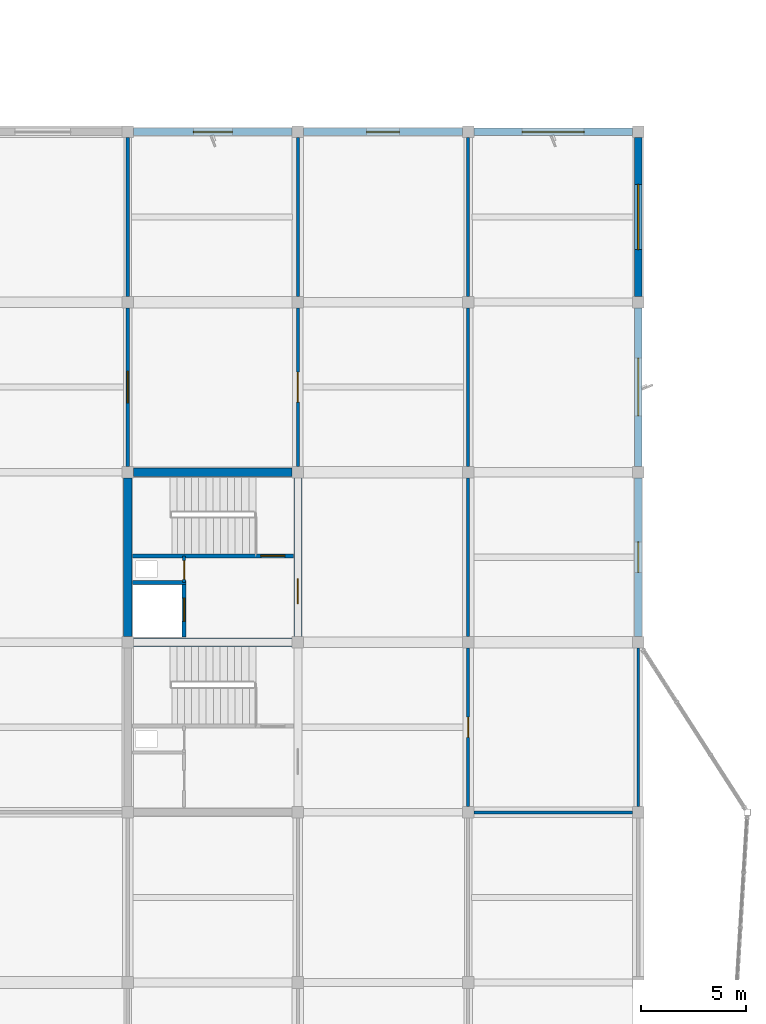
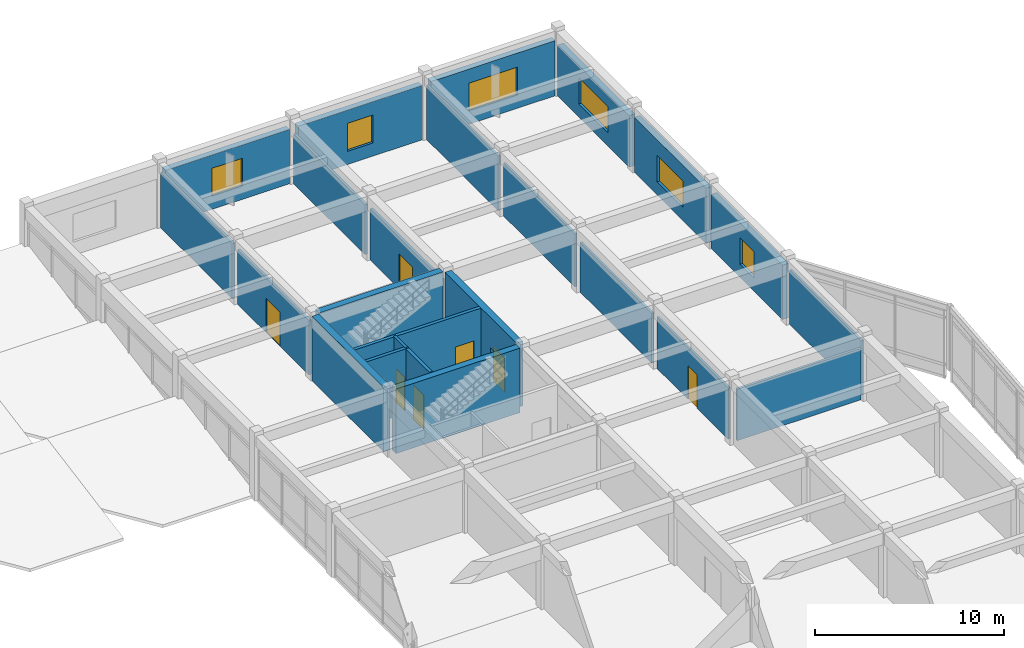
# One storey, part 29 of 33: 24 walls, 7 doors, 6 windows, 13 openings.
"""IFC4 building model written with IfcOpenShell, lengths in metres."""

from ifc_helpers import new_model, si_unit, direction, frame, frame_2d, origin, place, context, subcontext, project, spatial, rectangle, extrude, material, layer, layer_set, type_object, element, fill, save


model = new_model("IFC4")

# Units and contexts
model_context = context("Model", 3, precision=1e-05, world=origin(), true_north=direction((0.0, 1.0)))
body_context = subcontext(model_context, "Body", "Model", "MODEL_VIEW")
ifc_project = project(units=[si_unit("LENGTHUNIT", "METRE"), si_unit("AREAUNIT", "SQUARE_METRE"), si_unit("VOLUMEUNIT", "CUBIC_METRE"), si_unit("PLANEANGLEUNIT", "RADIAN"), si_unit("MASSUNIT", "GRAM", prefix="KILO")], contexts=[model_context])

# Site, building, storey
site_placement = place(None, origin())
site = spatial("IfcSite", under=ifc_project, at=site_placement, CompositionType="ELEMENT")
building_placement = place(site_placement, origin())
building = spatial("IfcBuilding", under=site, at=building_placement, Name="Vaudrelin Polytechnic", CompositionType="ELEMENT")
storey_placement = place(building_placement, frame((0.0, 0.0, 27.3701171875)))
storey = spatial("IfcBuildingStorey", under=building, at=storey_placement, Name="L06", CompositionType="ELEMENT", Elevation=27.3701171875)

# Wall, opening, window
ifc_material_1 = material(Name="Precast concrete 35 MPa with terracotta baguette screen", Category="masonry")
ifc_layer_1 = layer(ifc_material_1, 0.35009765625)
ifc_layer_set_1 = layer_set([ifc_layer_1], Name="Precast concrete 35 MPa with terracotta baguette screen")
wall_type_1 = type_object("IfcWallType", Name="WAL-EW-TERR350", PredefinedType="STANDARD", material=ifc_layer_set_1)
wall_1_placement = place(storey_placement, frame((146.072998046875, 121.5, 0.0), z_axis=(0.0, 0.0, 1.0), x_axis=(1.0, 0.0, 0.0)))
wall_1 = element("IfcWall", 1, at=wall_1_placement, inside=storey, type_object=wall_type_1, Name="Exterior wall L06 N_V4_01", PredefinedType="STANDARD", context=body_context, shape_type="SweptSolid", body=[
    extrude(rectangle(XDim=7.553955078125, YDim=0.35009765625, at=frame_2d((3.77685546875, 0.0))), origin(), (0.0, 0.0, 1.0), 3.511962890625),
])
opening_1_placement = place(wall_1_placement, frame((2.85205078125, 0.0, 0.85009765625)))
opening_1 = element("IfcOpeningElement", 2, at=opening_1_placement, cuts=wall_1, Name="Opening W-L06-N-V4-02", PredefinedType="OPENING", context=body_context, shape_type="SweptSolid", body=[
    extrude(rectangle(XDim=1.85009765625, YDim=1.800048828125, at=frame_2d((0.925048828125, 0.89990234375))), frame((0.0, 0.18505859375, 0.0), z_axis=(0.0, -1.0, 0.0), x_axis=(1.0, 0.0, 0.0)), (0.0, 0.0, 1.0), 0.3701171875),
])
ifc_material_2 = material(Name="Thermally broken aluminium frame with triple low-e glazing", Category="aluminium")
window_type_1 = type_object("IfcWindowType", Name="WIN-WN-33", PartitioningType="SINGLE_PANEL", PredefinedType="WINDOW", material=ifc_material_2)
window_1_placement = place(opening_1_placement, origin())
window_1 = element("IfcWindow", 3, at=window_1_placement, inside=storey, type_object=window_type_1, Name="Facade window L06-N_V4_01", OverallHeight=1.800048828125, OverallWidth=1.85009765625, PartitioningType="SINGLE_PANEL", PredefinedType="WINDOW", context=body_context, shape_type="SweptSolid", body=[
    extrude(rectangle(XDim=1.85009765625, YDim=1.800048828125, at=frame_2d((0.925048828125, 0.89990234375))), frame((0.0, 0.030029296875, 0.0), z_axis=(0.0, -1.0, 0.0), x_axis=(1.0, 0.0, 0.0)), (0.0, 0.0, 1.0), 0.06005859375),
])
fill(opening_1, window_1)

wall_2_placement = place(storey_placement, frame((154.173095703125, 121.5, 0.0), z_axis=(0.0, 0.0, 1.0), x_axis=(1.0, 0.0, 0.0)))
wall_2 = element("IfcWall", 4, at=wall_2_placement, inside=storey, type_object=wall_type_1, Name="Exterior wall L06 N_V4_02", PredefinedType="STANDARD", context=body_context, shape_type="SweptSolid", body=[
    extrude(rectangle(XDim=7.553955078125, YDim=0.35009765625, at=frame_2d((3.77685546875, 0.0))), origin(), (0.0, 0.0, 1.0), 3.511962890625),
])
opening_2_placement = place(wall_2_placement, frame((3.001953125, 0.0, 0.85009765625)))
opening_2 = element("IfcOpeningElement", 5, at=opening_2_placement, cuts=wall_2, Name="Opening W-L06-N-V4-03", PredefinedType="OPENING", context=body_context, shape_type="SweptSolid", body=[
    extrude(rectangle(XDim=1.550048828125, YDim=1.800048828125, at=frame_2d((0.77490234375, 0.89990234375))), frame((0.0, 0.18505859375, 0.0), z_axis=(0.0, -1.0, 0.0), x_axis=(1.0, 0.0, 0.0)), (0.0, 0.0, 1.0), 0.3701171875),
])
window_type_2 = type_object("IfcWindowType", Name="WIN-WN-34", PartitioningType="SINGLE_PANEL", PredefinedType="WINDOW", material=ifc_material_2)
window_2_placement = place(opening_2_placement, origin())
window_2 = element("IfcWindow", 6, at=window_2_placement, inside=storey, type_object=window_type_2, Name="Facade window L06-N_V4_02", OverallHeight=1.800048828125, OverallWidth=1.550048828125, PartitioningType="SINGLE_PANEL", PredefinedType="WINDOW", context=body_context, shape_type="SweptSolid", body=[
    extrude(rectangle(XDim=1.550048828125, YDim=1.800048828125, at=frame_2d((0.77490234375, 0.89990234375))), frame((0.0, 0.030029296875, 0.0), z_axis=(0.0, -1.0, 0.0), x_axis=(1.0, 0.0, 0.0)), (0.0, 0.0, 1.0), 0.06005859375),
])
fill(opening_2, window_2)

wall_3_placement = place(storey_placement, frame((162.27294921875, 121.5, 0.0), z_axis=(0.0, 0.0, 1.0), x_axis=(1.0, 0.0, 0.0)))
wall_3 = element("IfcWall", 7, at=wall_3_placement, inside=storey, type_object=wall_type_1, Name="Exterior wall L06 N_V4_03", PredefinedType="STANDARD", context=body_context, shape_type="SweptSolid", body=[
    extrude(rectangle(XDim=7.553955078125, YDim=0.35009765625, at=frame_2d((3.77685546875, 0.0))), origin(), (0.0, 0.0, 1.0), 3.561767578125),
])
opening_3_placement = place(wall_3_placement, frame((2.302001953125, 0.0, 0.85009765625)))
opening_3 = element("IfcOpeningElement", 8, at=opening_3_placement, cuts=wall_3, Name="Opening W-L06-N-V4-04", PredefinedType="OPENING", context=body_context, shape_type="SweptSolid", body=[
    extrude(rectangle(XDim=2.949951171875, YDim=1.800048828125, at=frame_2d((1.47509765625, 0.89990234375))), frame((0.0, 0.18505859375, 0.0), z_axis=(0.0, -1.0, 0.0), x_axis=(1.0, 0.0, 0.0)), (0.0, 0.0, 1.0), 0.3701171875),
])
window_type_3 = type_object("IfcWindowType", Name="WIN-WN-35", PartitioningType="SINGLE_PANEL", PredefinedType="WINDOW", material=ifc_material_2)
window_3_placement = place(opening_3_placement, origin())
window_3 = element("IfcWindow", 9, at=window_3_placement, inside=storey, type_object=window_type_3, Name="Facade window L06-N_V4_03", OverallHeight=1.800048828125, OverallWidth=2.949951171875, PartitioningType="SINGLE_PANEL", PredefinedType="WINDOW", context=body_context, shape_type="SweptSolid", body=[
    extrude(rectangle(XDim=2.949951171875, YDim=1.800048828125, at=frame_2d((1.47509765625, 0.89990234375))), frame((0.0, 0.030029296875, 0.0), z_axis=(0.0, -1.0, 0.0), x_axis=(1.0, 0.0, 0.0)), (0.0, 0.0, 1.0), 0.06005859375),
])
fill(opening_3, window_3)

wall_4_placement = place(storey_placement, frame((170.10009765625, 97.472900390625, 0.0), z_axis=(0.0, 0.0, 1.0), x_axis=(0.0, 1.0, 0.0)))
wall_4 = element("IfcWall", 10, at=wall_4_placement, inside=storey, type_object=wall_type_1, Name="Exterior wall L06 E_V4_08", PredefinedType="STANDARD", context=body_context, shape_type="SweptSolid", body=[
    extrude(rectangle(XDim=7.55419921875, YDim=0.35009765625, at=frame_2d((3.777099609375, 0.0))), origin(), (0.0, 0.0, 1.0), 3.511962890625),
])
opening_4_placement = place(wall_4_placement, frame((3.052001953125, 0.0, 0.85009765625)))
opening_4 = element("IfcOpeningElement", 11, at=opening_4_placement, cuts=wall_4, Name="Opening W-L06-E-V4-09", PredefinedType="OPENING", context=body_context, shape_type="SweptSolid", body=[
    extrude(rectangle(XDim=1.449951171875, YDim=1.699951171875, at=frame_2d((0.72509765625, 0.85009765625))), frame((0.0, 0.18505859375, 0.0), z_axis=(0.0, -1.0, 0.0), x_axis=(1.0, 0.0, 0.0)), (0.0, 0.0, 1.0), 0.3701171875),
])
window_type_4 = type_object("IfcWindowType", Name="WIN-WN-40", PartitioningType="SINGLE_PANEL", PredefinedType="WINDOW", material=ifc_material_2)
window_4_placement = place(opening_4_placement, origin())
window_4 = element("IfcWindow", 12, at=window_4_placement, inside=storey, type_object=window_type_4, Name="Facade window L06-E_V4_08", OverallHeight=1.699951171875, OverallWidth=1.449951171875, PartitioningType="SINGLE_PANEL", PredefinedType="WINDOW", context=body_context, shape_type="SweptSolid", body=[
    extrude(rectangle(XDim=1.449951171875, YDim=1.699951171875, at=frame_2d((0.72509765625, 0.85009765625))), frame((0.0, 0.030029296875, 0.0), z_axis=(0.0, -1.0, 0.0), x_axis=(1.0, 0.0, 0.0)), (0.0, 0.0, 1.0), 0.06005859375),
])
fill(opening_4, window_4)

wall_5_placement = place(storey_placement, frame((170.10009765625, 105.572998046875, 0.0), z_axis=(0.0, 0.0, 1.0), x_axis=(0.0, 1.0, 0.0)))
wall_5 = element("IfcWall", 13, at=wall_5_placement, inside=storey, type_object=wall_type_1, Name="Exterior wall L06 E_V4_09", PredefinedType="STANDARD", context=body_context, shape_type="SweptSolid", body=[
    extrude(rectangle(XDim=7.553955078125, YDim=0.35009765625, at=frame_2d((3.77685546875, 0.0))), origin(), (0.0, 0.0, 1.0), 3.561767578125),
])
opening_5_placement = place(wall_5_placement, frame((2.402099609375, 0.0, 0.85009765625)))
opening_5 = element("IfcOpeningElement", 14, at=opening_5_placement, cuts=wall_5, Name="Opening W-L06-E-V4-10", PredefinedType="OPENING", context=body_context, shape_type="SweptSolid", body=[
    extrude(rectangle(XDim=2.75, YDim=1.699951171875, at=frame_2d((1.375, 0.85009765625))), frame((0.0, 0.18505859375, 0.0), z_axis=(0.0, -1.0, 0.0), x_axis=(1.0, 0.0, 0.0)), (0.0, 0.0, 1.0), 0.3701171875),
])
window_type_5 = type_object("IfcWindowType", Name="WIN-WN-41", PartitioningType="SINGLE_PANEL", PredefinedType="WINDOW", material=ifc_material_2)
window_5_placement = place(opening_5_placement, origin())
window_5 = element("IfcWindow", 15, at=window_5_placement, inside=storey, type_object=window_type_5, Name="Facade window L06-E_V4_09", OverallHeight=1.699951171875, OverallWidth=2.75, PartitioningType="SINGLE_PANEL", PredefinedType="WINDOW", context=body_context, shape_type="SweptSolid", body=[
    extrude(rectangle(XDim=2.75, YDim=1.699951171875, at=frame_2d((1.375, 0.85009765625))), frame((0.0, 0.030029296875, 0.0), z_axis=(0.0, -1.0, 0.0), x_axis=(1.0, 0.0, 0.0)), (0.0, 0.0, 1.0), 0.06005859375),
])
fill(opening_5, window_5)

wall_6_placement = place(storey_placement, frame((170.10009765625, 113.673095703125, 0.0), z_axis=(0.0, 0.0, 1.0), x_axis=(0.0, 1.0, 0.0)))
wall_6 = element("IfcWall", 16, at=wall_6_placement, inside=storey, type_object=wall_type_1, Name="Exterior wall L06 E_V4_10", PredefinedType="STANDARD", context=body_context, shape_type="SweptSolid", body=[
    extrude(rectangle(XDim=7.553955078125, YDim=0.35009765625, at=frame_2d((3.77685546875, 0.0))), origin(), (0.0, 0.0, 1.0), 3.311767578125),
])
opening_6_placement = place(wall_6_placement, frame((2.22705078125, 0.0, 0.85009765625)))
opening_6 = element("IfcOpeningElement", 17, at=opening_6_placement, cuts=wall_6, Name="Opening W-L06-E-V4-11", PredefinedType="OPENING", context=body_context, shape_type="SweptSolid", body=[
    extrude(rectangle(XDim=3.10009765625, YDim=1.699951171875, at=frame_2d((1.550048828125, 0.85009765625))), frame((0.0, 0.18505859375, 0.0), z_axis=(0.0, -1.0, 0.0), x_axis=(1.0, 0.0, 0.0)), (0.0, 0.0, 1.0), 0.3701171875),
])
window_type_6 = type_object("IfcWindowType", Name="WIN-WN-42", PartitioningType="SINGLE_PANEL", PredefinedType="WINDOW", material=ifc_material_2)
window_6_placement = place(opening_6_placement, origin())
window_6 = element("IfcWindow", 18, at=window_6_placement, inside=storey, type_object=window_type_6, Name="Facade window L06-E_V4_10", OverallHeight=1.699951171875, OverallWidth=3.10009765625, PartitioningType="SINGLE_PANEL", PredefinedType="WINDOW", context=body_context, shape_type="SweptSolid", body=[
    extrude(rectangle(XDim=3.10009765625, YDim=1.699951171875, at=frame_2d((1.550048828125, 0.85009765625))), frame((0.0, 0.030029296875, 0.0), z_axis=(0.0, -1.0, 0.0), x_axis=(1.0, 0.0, 0.0)), (0.0, 0.0, 1.0), 0.06005859375),
])
fill(opening_6, window_6)

# Wall, opening, door
ifc_material_3 = material(Name="Fire-rated steel-stud gypsum compartment wall", Category="steel")
ifc_layer_2 = layer(ifc_material_3, 0.14990234375)
ifc_layer_set_2 = layer_set([ifc_layer_2], Name="Fire-rated steel-stud gypsum compartment wall")
wall_type_2 = type_object("IfcWallType", Name="WAL-PW-FIRE60", PredefinedType="PARTITIONING", material=ifc_layer_set_2)
wall_7_placement = place(storey_placement, frame((148.47998046875, 100.050048828125, 0.0), z_axis=(0.0, 0.0, 1.0), x_axis=(0.0, 1.0, 0.0)))
wall_7 = element("IfcWall", 19, at=wall_7_placement, inside=storey, type_object=wall_type_2, Name="Core C6 riser enclosure wall L06", PredefinedType="PARTITIONING", context=body_context, shape_type="SweptSolid", body=[
    extrude(rectangle(XDim=1.260009765625, YDim=0.14990234375, at=frame_2d((0.6298828125, 0.0))), origin(), (0.0, 0.0, 1.0), 4.161865234375),
])
opening_7_placement = place(wall_7_placement, frame((0.139892578125, 0.0, 0.0)))
opening_7 = element("IfcOpeningElement", 20, at=opening_7_placement, cuts=wall_7, Name="Opening D-L06-107", PredefinedType="OPENING", context=body_context, shape_type="SweptSolid", body=[
    extrude(rectangle(XDim=0.89990234375, YDim=2.14990234375, at=frame_2d((0.449951171875, 1.074951171875))), frame((0.0, 0.0849609375, 0.0), z_axis=(0.0, -1.0, 0.0), x_axis=(1.0, 0.0, 0.0)), (0.0, 0.0, 1.0), 0.169921875),
])
ifc_material_4 = material(Name="Pressed galvanised steel acoustic leaf", Category="steel")
door_type_1 = type_object("IfcDoorType", Name="DOR-ID-RSR1", OperationType="NOTDEFINED", PredefinedType="DOOR", material=ifc_material_4)
door_1_placement = place(opening_7_placement, origin())
door_1 = element("IfcDoor", 21, at=door_1_placement, inside=storey, type_object=door_type_1, Name="Core C6 riser access door L06", OperationType="SINGLE_SWING_RIGHT", OverallHeight=2.14990234375, OverallWidth=0.89990234375, PredefinedType="DOOR", context=body_context, shape_type="SweptSolid", body=[
    extrude(rectangle(XDim=0.89990234375, YDim=2.14990234375, at=frame_2d((0.449951171875, 1.074951171875))), frame((0.0, 0.02490234375, 0.0), z_axis=(0.0, -1.0, 0.0), x_axis=(1.0, 0.0, 0.0)), (0.0, 0.0, 1.0), 0.050048828125),
])
fill(opening_7, door_1)

ifc_material_5 = material(Name="Moisture- and chemical-resistant laboratory partition", Category="gypsum")
ifc_layer_3 = layer(ifc_material_5, 0.159912109375)
ifc_layer_set_3 = layer_set([ifc_layer_3], Name="Moisture- and chemical-resistant laboratory partition")
wall_type_3 = type_object("IfcWallType", Name="WAL-PW-LAB160", PredefinedType="PARTITIONING", material=ifc_layer_set_3)
wall_8_placement = place(storey_placement, frame((145.800048828125, 105.572998046875, 0.0), z_axis=(0.0, 0.0, 1.0), x_axis=(0.0, 1.0, 0.0)))
wall_8 = element("IfcWall", 22, at=wall_8_placement, inside=storey, type_object=wall_type_3, Name="Partition L06-004 E", PredefinedType="PARTITIONING", context=body_context, shape_type="SweptSolid", body=[
    extrude(rectangle(XDim=7.553955078125, YDim=0.159912109375, at=frame_2d((3.77685546875, 0.0))), origin(), (0.0, 0.0, 1.0), 3.511962890625),
])
opening_8_placement = place(wall_8_placement, frame((3.027099609375, 0.0, 0.0)))
opening_8 = element("IfcOpeningElement", 23, at=opening_8_placement, cuts=wall_8, Name="Opening D-L06-563", PredefinedType="OPENING", context=body_context, shape_type="SweptSolid", body=[
    extrude(rectangle(XDim=1.5, YDim=2.199951171875, at=frame_2d((0.75, 1.10009765625))), frame((0.0, 0.08984375, 0.0), z_axis=(0.0, -1.0, 0.0), x_axis=(1.0, 0.0, 0.0)), (0.0, 0.0, 1.0), 0.179931640625),
])
door_type_2 = type_object("IfcDoorType", Name="DOR-ID-LAB1", OperationType="NOTDEFINED", PredefinedType="DOOR", material=ifc_material_4)
door_2_placement = place(opening_8_placement, origin())
door_2 = element("IfcDoor", 24, at=door_2_placement, inside=storey, type_object=door_type_2, Name="Microfabrication Cleanroom Laboratory door L06-004", OperationType="DOUBLE_SWING_LEFT", OverallHeight=2.199951171875, OverallWidth=1.5, PredefinedType="DOOR", context=body_context, shape_type="SweptSolid", body=[
    extrude(rectangle(XDim=1.5, YDim=2.199951171875, at=frame_2d((0.75, 1.10009765625))), frame((0.0, 0.02490234375, 0.0), z_axis=(0.0, -1.0, 0.0), x_axis=(1.0, 0.0, 0.0)), (0.0, 0.0, 1.0), 0.050048828125),
])
fill(opening_8, door_2)

# Wall
wall_9_placement = place(storey_placement, frame((145.800048828125, 113.673095703125, 0.0), z_axis=(0.0, 0.0, 1.0), x_axis=(0.0, 1.0, 0.0)))
element("IfcWall", 25, at=wall_9_placement, inside=storey, type_object=wall_type_3, Name="Partition L06-004 E", PredefinedType="PARTITIONING", context=body_context, shape_type="SweptSolid", body=[
    extrude(rectangle(XDim=7.553955078125, YDim=0.159912109375, at=frame_2d((3.77685546875, 0.0))), origin(), (0.0, 0.0, 1.0), 3.561767578125),
])

# Wall, opening, door
wall_10_placement = place(storey_placement, frame((153.89990234375, 105.572998046875, 0.0), z_axis=(0.0, 0.0, 1.0), x_axis=(0.0, 1.0, 0.0)))
wall_10 = element("IfcWall", 26, at=wall_10_placement, inside=storey, type_object=wall_type_3, Name="Partition L06-005 E", PredefinedType="PARTITIONING", context=body_context, shape_type="SweptSolid", body=[
    extrude(rectangle(XDim=7.553955078125, YDim=0.159912109375, at=frame_2d((3.77685546875, 0.0))), origin(), (0.0, 0.0, 1.0), 3.311767578125),
])
opening_9_placement = place(wall_10_placement, frame((3.06689453125, 0.0, 0.0)))
opening_9 = element("IfcOpeningElement", 27, at=opening_9_placement, cuts=wall_10, Name="Opening D-L06-564", PredefinedType="OPENING", context=body_context, shape_type="SweptSolid", body=[
    extrude(rectangle(XDim=1.419921875, YDim=2.25, at=frame_2d((0.7099609375, 1.125))), frame((0.0, 0.08984375, 0.0), z_axis=(0.0, -1.0, 0.0), x_axis=(1.0, 0.0, 0.0)), (0.0, 0.0, 1.0), 0.179931640625),
])
door_type_3 = type_object("IfcDoorType", Name="DOR-ID-LAB4", OperationType="NOTDEFINED", PredefinedType="DOOR", material=ifc_material_4)
door_3_placement = place(opening_9_placement, origin())
door_3 = element("IfcDoor", 28, at=door_3_placement, inside=storey, type_object=door_type_3, Name="Cleanroom Gowning Airlock Room door L06-005", OperationType="DOUBLE_SWING_LEFT", OverallHeight=2.25, OverallWidth=1.419921875, PredefinedType="DOOR", context=body_context, shape_type="SweptSolid", body=[
    extrude(rectangle(XDim=1.419921875, YDim=2.25, at=frame_2d((0.7099609375, 1.125))), frame((0.0, 0.02490234375, 0.0), z_axis=(0.0, -1.0, 0.0), x_axis=(1.0, 0.0, 0.0)), (0.0, 0.0, 1.0), 0.050048828125),
])
fill(opening_9, door_3)

# Wall
wall_11_placement = place(storey_placement, frame((153.89990234375, 113.673095703125, 0.0), z_axis=(0.0, 0.0, 1.0), x_axis=(0.0, 1.0, 0.0)))
element("IfcWall", 29, at=wall_11_placement, inside=storey, type_object=wall_type_3, Name="Partition L06-005 E", PredefinedType="PARTITIONING", context=body_context, shape_type="SweptSolid", body=[
    extrude(rectangle(XDim=7.553955078125, YDim=0.159912109375, at=frame_2d((3.77685546875, 0.0))), origin(), (0.0, 0.0, 1.0), 3.2119140625),
])

# Wall, opening, door
ifc_material_6 = material(Name="Acoustic steel-stud office & study room partition", Category="steel")
ifc_layer_4 = layer(ifc_material_6, 0.135009765625)
ifc_layer_set_4 = layer_set([ifc_layer_4], Name="Acoustic steel-stud office & study room partition")
wall_type_4 = type_object("IfcWallType", Name="WAL-PW-OFF135", PredefinedType="PARTITIONING", material=ifc_layer_set_4)
wall_12_placement = place(storey_placement, frame((162.0, 89.373046875, 0.0), z_axis=(0.0, 0.0, 1.0), x_axis=(0.0, 1.0, 0.0)))
wall_12 = element("IfcWall", 30, at=wall_12_placement, inside=storey, type_object=wall_type_4, Name="Partition L06-009 W", PredefinedType="PARTITIONING", context=body_context, shape_type="SweptSolid", body=[
    extrude(rectangle(XDim=7.553955078125, YDim=0.135009765625, at=frame_2d((3.77685546875, 0.0))), origin(), (0.0, 0.0, 1.0), 3.311767578125),
])
opening_10_placement = place(wall_12_placement, frame((3.297119140625, 0.0, 0.0)))
opening_10 = element("IfcOpeningElement", 31, at=opening_10_placement, cuts=wall_12, Name="Opening D-L06-567", PredefinedType="OPENING", context=body_context, shape_type="SweptSolid", body=[
    extrude(rectangle(XDim=0.9599609375, YDim=2.14990234375, at=frame_2d((0.47998046875, 1.074951171875))), frame((0.0, 0.07763671875, 0.0), z_axis=(0.0, -1.0, 0.0), x_axis=(1.0, 0.0, 0.0)), (0.0, 0.0, 1.0), 0.155029296875),
])
ifc_material_7 = material(Name="Solid-core birch veneer acoustic leaf", Category="wood")
door_type_4 = type_object("IfcDoorType", Name="DOR-ID-OFF2", OperationType="NOTDEFINED", PredefinedType="DOOR", material=ifc_material_7)
door_4_placement = place(opening_10_placement, origin())
door_4 = element("IfcDoor", 32, at=door_4_placement, inside=storey, type_object=door_type_4, Name="Academic Research Offices Level 6 door L06-009", OperationType="SINGLE_SWING_RIGHT", OverallHeight=2.14990234375, OverallWidth=0.9599609375, PredefinedType="DOOR", context=body_context, shape_type="SweptSolid", body=[
    extrude(rectangle(XDim=0.9599609375, YDim=2.14990234375, at=frame_2d((0.47998046875, 1.074951171875))), frame((0.0, 0.02490234375, 0.0), z_axis=(0.0, -1.0, 0.0), x_axis=(1.0, 0.0, 0.0)), (0.0, 0.0, 1.0), 0.050048828125),
])
fill(opening_10, door_4)

# Walls
wall_13_placement = place(storey_placement, frame((162.0, 97.472900390625, 0.0), z_axis=(0.0, 0.0, 1.0), x_axis=(0.0, 1.0, 0.0)))
element("IfcWall", 33, at=wall_13_placement, inside=storey, type_object=wall_type_4, Name="Partition L06-009 W", PredefinedType="PARTITIONING", context=body_context, shape_type="SweptSolid", body=[
    extrude(rectangle(XDim=7.55419921875, YDim=0.135009765625, at=frame_2d((3.777099609375, 0.0))), origin(), (0.0, 0.0, 1.0), 3.2119140625),
])
wall_14_placement = place(storey_placement, frame((162.0, 105.572998046875, 0.0), z_axis=(0.0, 0.0, 1.0), x_axis=(0.0, 1.0, 0.0)))
element("IfcWall", 34, at=wall_14_placement, inside=storey, type_object=wall_type_4, Name="Partition L06-009 W", PredefinedType="PARTITIONING", context=body_context, shape_type="SweptSolid", body=[
    extrude(rectangle(XDim=7.553955078125, YDim=0.135009765625, at=frame_2d((3.77685546875, 0.0))), origin(), (0.0, 0.0, 1.0), 3.411865234375),
])
for number, where, z_axis, x_axis, name in (
    (35, (162.0, 113.673095703125, 0.0), (0.0, 0.0, 1.0), (0.0, 1.0, 0.0), "Partition L06-009 W"),
    (36, (170.10009765625, 89.373046875, 0.0), (0.0, 0.0, 1.0), (0.0, 1.0, 0.0), "Partition L06-009 E"),
):
    element("IfcWall", number, at=place(storey_placement, frame(where, z_axis=z_axis, x_axis=x_axis)), inside=storey, type_object=wall_type_4, Name=name, PredefinedType="PARTITIONING", context=body_context, shape_type="SweptSolid", body=[
        extrude(rectangle(XDim=7.553955078125, YDim=0.135009765625, at=frame_2d((3.77685546875, 0.0))), origin(), (0.0, 0.0, 1.0), 3.511962890625),
    ])
ifc_material_8 = material(Name="Pin-up plywood & acoustic gypsum studio partition", Category="wood")
ifc_layer_5 = layer(ifc_material_8, 0.14990234375)
ifc_layer_set_5 = layer_set([ifc_layer_5], Name="Pin-up plywood & acoustic gypsum studio partition")
wall_type_5 = type_object("IfcWallType", Name="WAL-PW-STU150", PredefinedType="PARTITIONING", material=ifc_layer_set_5)
wall_15_placement = place(storey_placement, frame((162.27294921875, 89.10009765625, 0.0), z_axis=(0.0, 0.0, 1.0), x_axis=(1.0, 0.0, 0.0)))
element("IfcWall", 37, at=wall_15_placement, inside=storey, type_object=wall_type_5, Name="Partition L06-008 N", PredefinedType="PARTITIONING", context=body_context, shape_type="SweptSolid", body=[
    extrude(rectangle(XDim=7.553955078125, YDim=0.14990234375, at=frame_2d((3.77685546875, 0.0))), origin(), (0.0, 0.0, 1.0), 3.311767578125),
])

# Wall, opening, door
ifc_material_9 = material(Name="Concrete 40 MPa", Category="concrete")
ifc_layer_6 = layer(ifc_material_9, 0.199951171875)
ifc_layer_set_6 = layer_set([ifc_layer_6], Name="Concrete 40 MPa")
wall_type_6 = type_object("IfcWallType", Name="WAL-SW-CORE200", PredefinedType="SHEAR", material=ifc_layer_set_6)
wall_16_placement = place(storey_placement, frame((146.02001953125, 101.31005859375, 0.0), z_axis=(0.0, 0.0, 1.0), x_axis=(1.0, 0.0, 0.0)))
wall_16 = element("IfcWall", 38, at=wall_16_placement, inside=storey, type_object=wall_type_6, Name="Core C6 stair enclosure wall L06", PredefinedType="SHEAR", context=body_context, shape_type="SweptSolid", body=[
    extrude(rectangle(XDim=7.659912109375, YDim=0.199951171875, at=frame_2d((3.830078125, 0.0))), origin(), (0.0, 0.0, 1.0), 4.161865234375),
])
opening_11_placement = place(wall_16_placement, frame((6.110107421875, 0.0, 0.0)))
opening_11 = element("IfcOpeningElement", 39, at=opening_11_placement, cuts=wall_16, Name="Opening D-L06-106", PredefinedType="OPENING", context=body_context, shape_type="SweptSolid", body=[
    extrude(rectangle(XDim=1.14990234375, YDim=2.199951171875, at=frame_2d((0.574951171875, 1.10009765625))), frame((0.0, 0.10986328125, 0.0), z_axis=(0.0, -1.0, 0.0), x_axis=(1.0, 0.0, 0.0)), (0.0, 0.0, 1.0), 0.219970703125),
])
door_type_5 = type_object("IfcDoorType", Name="DOR-ID-ST1", OperationType="NOTDEFINED", PredefinedType="DOOR", material=ifc_material_4)
door_5_placement = place(opening_11_placement, origin())
door_5 = element("IfcDoor", 40, at=door_5_placement, inside=storey, type_object=door_type_5, Name="Core C6 exit stair door L06", OperationType="SINGLE_SWING_LEFT", OverallHeight=2.199951171875, OverallWidth=1.14990234375, PredefinedType="DOOR", context=body_context, shape_type="SweptSolid", body=[
    extrude(rectangle(XDim=1.14990234375, YDim=2.199951171875, at=frame_2d((0.574951171875, 1.10009765625))), frame((0.0, 0.02490234375, 0.0), z_axis=(0.0, -1.0, 0.0), x_axis=(1.0, 0.0, 0.0)), (0.0, 0.0, 1.0), 0.050048828125),
])
fill(opening_11, door_5)

wall_17_placement = place(storey_placement, frame((148.47998046875, 97.449951171875, 0.0), z_axis=(0.0, 0.0, 1.0), x_axis=(0.0, 1.0, 0.0)))
wall_17 = element("IfcWall", 41, at=wall_17_placement, inside=storey, type_object=wall_type_6, Name="Lift LF-06 shaft front wall L06", PredefinedType="SHEAR", context=body_context, shape_type="SweptSolid", body=[
    extrude(rectangle(XDim=2.60009765625, YDim=0.199951171875, at=frame_2d((1.300048828125, 0.0))), origin(), (0.0, 0.0, 1.0), 4.161865234375),
])
opening_12_placement = place(wall_17_placement, frame((0.75, 0.0, 0.0)))
opening_12 = element("IfcOpeningElement", 42, at=opening_12_placement, cuts=wall_17, Name="Opening LD-LF-06-L06", PredefinedType="OPENING", context=body_context, shape_type="SweptSolid", body=[
    extrude(rectangle(XDim=1.10009765625, YDim=2.199951171875, at=frame_2d((0.550048828125, 1.10009765625))), frame((0.0, 0.10986328125, 0.0), z_axis=(0.0, -1.0, 0.0), x_axis=(1.0, 0.0, 0.0)), (0.0, 0.0, 1.0), 0.219970703125),
])
ifc_material_10 = material(Name="Brushed stainless steel AISI 304", Category="steel")
door_type_6 = type_object("IfcDoorType", Name="DOR-LD-PAX", OperationType="SLIDING_TO_LEFT", PredefinedType="DOOR", material=ifc_material_10)
door_6_placement = place(opening_12_placement, origin())
door_6 = element("IfcDoor", 43, at=door_6_placement, inside=storey, type_object=door_type_6, Name="Lift LF-06 landing door L06", OperationType="SLIDING_TO_LEFT", OverallHeight=2.199951171875, OverallWidth=1.10009765625, PredefinedType="DOOR", context=body_context, shape_type="SweptSolid", body=[
    extrude(rectangle(XDim=1.10009765625, YDim=2.199951171875, at=frame_2d((0.550048828125, 1.10009765625))), frame((0.0, 0.02490234375, 0.0), z_axis=(0.0, -1.0, 0.0), x_axis=(1.0, 0.0, 0.0)), (0.0, 0.0, 1.0), 0.050048828125),
])
fill(opening_12, door_6)

# Walls
wall_18_placement = place(storey_placement, frame((146.02001953125, 100.050048828125, 0.0), z_axis=(0.0, 0.0, 1.0), x_axis=(1.0, 0.0, 0.0)))
element("IfcWall", 44, at=wall_18_placement, inside=storey, type_object=wall_type_6, Name="Lift LF-06 shaft north wall L06", PredefinedType="SHEAR", context=body_context, shape_type="SweptSolid", body=[
    extrude(rectangle(XDim=2.56005859375, YDim=0.199951171875, at=frame_2d((1.280029296875, 0.0))), origin(), (0.0, 0.0, 1.0), 4.161865234375),
])
ifc_material_11 = material(Name="Concrete 50 MPa", Category="concrete")
ifc_layer_7 = layer(ifc_material_11, 0.39990234375)
ifc_layer_set_7 = layer_set([ifc_layer_7], Name="Concrete 50 MPa")
wall_type_7 = type_object("IfcWallType", Name="WAL-SW-CORE400", PredefinedType="SHEAR", material=ifc_layer_set_7)
wall_19_placement = place(storey_placement, frame((146.072998046875, 105.300048828125, 0.0), z_axis=(0.0, 0.0, 1.0), x_axis=(1.0, 0.0, 0.0)))
element("IfcWall", 45, at=wall_19_placement, inside=storey, type_object=wall_type_7, Name="Core C6 N shear wall L06", PredefinedType="SHEAR", context=body_context, shape_type="SweptSolid", body=[
    extrude(rectangle(XDim=7.553955078125, YDim=0.39990234375, at=frame_2d((3.77685546875, 0.0))), origin(), (0.0, 0.0, 1.0), 4.161865234375),
])
wall_20_placement = place(storey_placement, frame((145.800048828125, 97.472900390625, 0.0), z_axis=(0.0, 0.0, 1.0), x_axis=(0.0, 1.0, 0.0)))
element("IfcWall", 46, at=wall_20_placement, inside=storey, type_object=wall_type_7, Name="Core C6 W shear wall L06", PredefinedType="SHEAR", context=body_context, shape_type="SweptSolid", body=[
    extrude(rectangle(XDim=7.55419921875, YDim=0.39990234375, at=frame_2d((3.777099609375, 0.0))), origin(), (0.0, 0.0, 1.0), 4.161865234375),
])

# Wall, opening, door
wall_21_placement = place(storey_placement, frame((153.89990234375, 97.472900390625, 0.0), z_axis=(0.0, 0.0, 1.0), x_axis=(0.0, 1.0, 0.0)))
wall_21 = element("IfcWall", 47, at=wall_21_placement, inside=storey, type_object=wall_type_7, Name="Core C6 E shear wall L06", PredefinedType="SHEAR", context=body_context, shape_type="SweptSolid", body=[
    extrude(rectangle(XDim=7.55419921875, YDim=0.39990234375, at=frame_2d((3.777099609375, 0.0))), origin(), (0.0, 0.0, 1.0), 4.161865234375),
])
opening_13_placement = place(wall_21_placement, frame((1.550048828125, 0.0, 0.0)))
opening_13 = element("IfcOpeningElement", 48, at=opening_13_placement, cuts=wall_21, Name="Opening D-L06-105", PredefinedType="OPENING", context=body_context, shape_type="SweptSolid", body=[
    extrude(rectangle(XDim=1.199951171875, YDim=2.199951171875, at=frame_2d((0.60009765625, 1.10009765625))), frame((0.0, 0.2099609375, 0.0), z_axis=(0.0, -1.0, 0.0), x_axis=(1.0, 0.0, 0.0)), (0.0, 0.0, 1.0), 0.419921875),
])
door_type_7 = type_object("IfcDoorType", Name="DOR-ID-LB1", OperationType="NOTDEFINED", PredefinedType="DOOR", material=ifc_material_4)
door_7_placement = place(opening_13_placement, origin())
door_7 = element("IfcDoor", 49, at=door_7_placement, inside=storey, type_object=door_type_7, Name="Core C6 lobby fire door L06", OperationType="SINGLE_SWING_RIGHT", OverallHeight=2.199951171875, OverallWidth=1.199951171875, PredefinedType="DOOR", context=body_context, shape_type="SweptSolid", body=[
    extrude(rectangle(XDim=1.199951171875, YDim=2.199951171875, at=frame_2d((0.60009765625, 1.10009765625))), frame((0.0, 0.02490234375, 0.0), z_axis=(0.0, -1.0, 0.0), x_axis=(1.0, 0.0, 0.0)), (0.0, 0.0, 1.0), 0.050048828125),
])
fill(opening_13, door_7)

# Wall
wall_22_placement = place(storey_placement, frame((146.072998046875, 97.199951171875, 0.0), z_axis=(0.0, 0.0, 1.0), x_axis=(1.0, 0.0, 0.0)))
element("IfcWall", 50, at=wall_22_placement, inside=storey, type_object=wall_type_7, Name="Core C6 S shear wall L06", PredefinedType="SHEAR", context=body_context, shape_type="SweptSolid", body=[
    extrude(rectangle(XDim=7.553955078125, YDim=0.39990234375, at=frame_2d((3.77685546875, 0.0))), origin(), (0.0, 0.0, 1.0), 4.161865234375),
])

save(model, "model.ifc")
